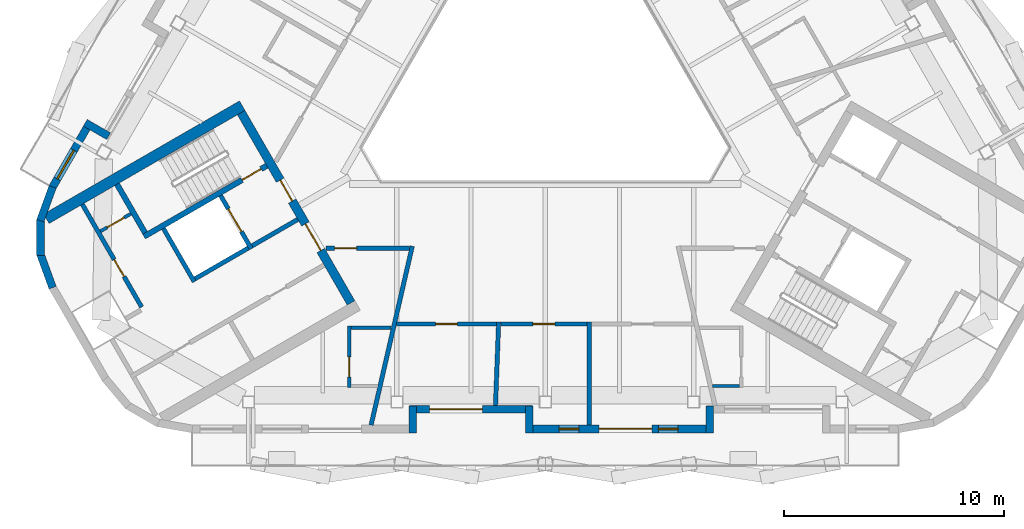
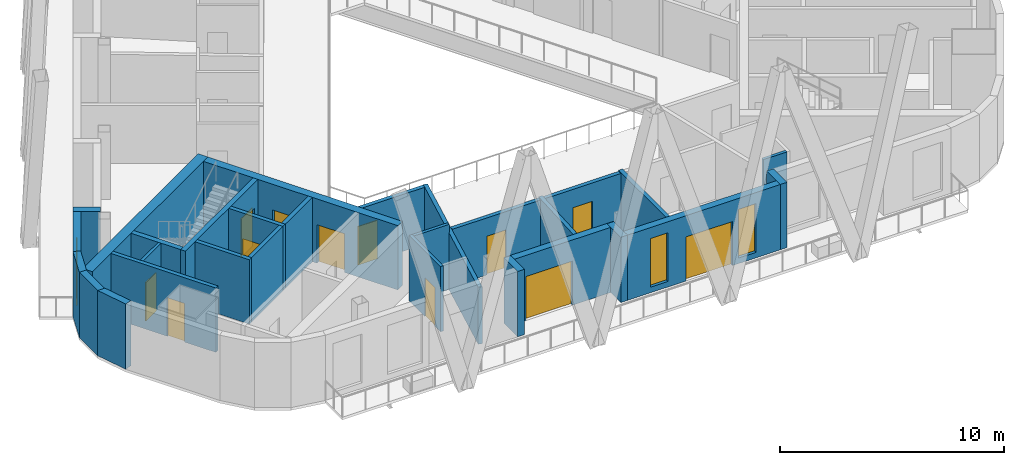
# One storey, part 3 of 12: 29 walls, 12 doors, 3 windows, 15 openings.
"""IFC4 building model written with IfcOpenShell, lengths in metres."""

from ifc_helpers import new_model, si_unit, direction, frame, frame_2d, origin, place, context, subcontext, project, spatial, rectangle, extrude, material, layer, layer_set, type_object, element, fill, save


model = new_model("IFC4")

# Units and contexts
model_context = context("Model", 3, precision=1e-05, world=origin(), true_north=direction((0.0, 1.0)))
body_context = subcontext(model_context, "Body", "Model", "MODEL_VIEW")
ifc_project = project(units=[si_unit("LENGTHUNIT", "METRE"), si_unit("AREAUNIT", "SQUARE_METRE"), si_unit("VOLUMEUNIT", "CUBIC_METRE"), si_unit("PLANEANGLEUNIT", "RADIAN"), si_unit("MASSUNIT", "GRAM", prefix="KILO")], contexts=[model_context])

# Site, building, storey
site_placement = place(None, origin())
site = spatial("IfcSite", under=ifc_project, at=site_placement, CompositionType="ELEMENT")
building_placement = place(site_placement, origin())
building = spatial("IfcBuilding", under=site, at=building_placement, Name="Apuvela Tower Hotel", CompositionType="ELEMENT")
storey_placement = place(building_placement, frame((0.0, 0.0, 302.199951171875)))
storey = spatial("IfcBuildingStorey", under=building, at=storey_placement, Name="L75", CompositionType="ELEMENT", Elevation=302.199951171875)

# Wall, openings, doors
ifc_material_1 = material(Name="Concrete C50/60", Category="concrete")
ifc_layer_1 = layer(ifc_material_1, 0.39990234375)
ifc_layer_set_1 = layer_set([ifc_layer_1], Name="COR-WALL-CORE-400")
wall_type_1 = type_object("IfcWallType", Name="COR-WALL-CORE-400", PredefinedType="SHEAR", material=ifc_layer_set_1)
wall_1_placement = place(storey_placement, frame((-13.844970703125, -2.219970703125, 0.0), z_axis=(0.0, 0.0, 1.0), x_axis=(0.500004234368, -0.866022959057, 0.0)))
wall_1 = element("IfcWall", 1, at=wall_1_placement, inside=storey, type_object=wall_type_1, Name="Core wall SW", PredefinedType="SHEAR", context=body_context, shape_type="SweptSolid", body=[
    extrude(rectangle(XDim=10.0, YDim=0.39990234375, at=frame_2d((5.0, 0.0))), origin(), (0.0, 0.0, 1.0), 3.5),
])
opening_1_placement = place(wall_1_placement, frame((3.550048828125, 0.0, 0.0)))
opening_1 = element("IfcOpeningElement", 2, at=opening_1_placement, cuts=wall_1, Name="Opening W-FD", PredefinedType="OPENING", context=body_context, shape_type="SweptSolid", body=[
    extrude(rectangle(XDim=1.10009765625, YDim=2.10009765625, at=frame_2d((0.550048828125, 1.050048828125))), frame((0.0, 0.2099609375, 0.0), z_axis=(0.0, -1.0, 0.0), x_axis=(1.0, 0.0, 0.0)), (0.0, 0.0, 1.0), 0.419921875),
])
opening_2_placement = place(wall_1_placement, frame((5.85009765625, 0.0, 0.0)))
opening_2 = element("IfcOpeningElement", 3, at=opening_2_placement, cuts=wall_1, Name="Opening W-GD", PredefinedType="OPENING", context=body_context, shape_type="SweptSolid", body=[
    extrude(rectangle(XDim=1.39990234375, YDim=2.10009765625, at=frame_2d((0.699951171875, 1.050048828125))), frame((0.0, 0.2099609375, 0.0), z_axis=(0.0, -1.0, 0.0), x_axis=(1.0, 0.0, 0.0)), (0.0, 0.0, 1.0), 0.419921875),
])
ifc_material_2 = material(Name="Steel fire door, powder coated", Category="steel")
door_type_1 = type_object("IfcDoorType", Name="COR-FD-1100", OperationType="NOTDEFINED", PredefinedType="DOOR", material=ifc_material_2)
door_1_placement = place(opening_1_placement, frame((1.10009765625, 0.0, 0.0), z_axis=(0.0, 0.0, 1.0), x_axis=(-1.0, 0.0, 0.0)))
door_1 = element("IfcDoor", 4, at=door_1_placement, inside=storey, type_object=door_type_1, Name="Firefighting lobby door W-FD", OperationType="SINGLE_SWING_LEFT", OverallHeight=2.10009765625, OverallWidth=1.10009765625, PredefinedType="DOOR", context=body_context, shape_type="SweptSolid", body=[
    extrude(rectangle(XDim=1.10009765625, YDim=2.10009765625, at=frame_2d((0.550048828125, 1.050048828125))), frame((0.0, 0.02490234375, 0.0), z_axis=(0.0, -1.0, 0.0), x_axis=(1.0, 0.0, 0.0)), (0.0, 0.0, 1.0), 0.050048828125),
])
fill(opening_1, door_1)
ifc_material_3 = material(Name="Glazed steel fire door", Category="steel")
door_type_2 = type_object("IfcDoorType", Name="COR-GD-1400", OperationType="DOUBLE_DOOR_SINGLE_SWING", PredefinedType="DOOR", material=ifc_material_3)
door_2_placement = place(opening_2_placement, frame((1.39990234375, 0.0, 0.0), z_axis=(0.0, 0.0, 1.0), x_axis=(-1.0, 0.0, 0.0)))
door_2 = element("IfcDoor", 5, at=door_2_placement, inside=storey, type_object=door_type_2, Name="Lift lobby door W-GD", OperationType="DOUBLE_DOOR_SINGLE_SWING", OverallHeight=2.10009765625, OverallWidth=1.39990234375, PredefinedType="DOOR", context=body_context, shape_type="SweptSolid", body=[
    extrude(rectangle(XDim=1.39990234375, YDim=2.10009765625, at=frame_2d((0.699951171875, 1.050048828125))), frame((0.0, 0.02490234375, 0.0), z_axis=(0.0, -1.0, 0.0), x_axis=(1.0, 0.0, 0.0)), (0.0, 0.0, 1.0), 0.050048828125),
])
fill(opening_2, door_2)

# Wall
ifc_layer_2 = layer(ifc_material_1, 0.5)
ifc_layer_set_2 = layer_set([ifc_layer_2], Name="COR-WALL-CORE-500")
wall_type_2 = type_object("IfcWallType", Name="COR-WALL-CORE-500", PredefinedType="SHEAR", material=ifc_layer_set_2)
wall_2_placement = place(storey_placement, frame((-13.796630859375, -1.9033203125, 0.0), z_axis=(0.0, 0.0, 1.0), x_axis=(-0.866027279078, -0.499996751883, 0.0)))
element("IfcWall", 6, at=wall_2_placement, inside=storey, type_object=wall_type_2, Name="Core wall SW", PredefinedType="SHEAR", context=body_context, shape_type="SweptSolid", body=[
    extrude(rectangle(XDim=10.29833984375, YDim=0.5, at=frame_2d((5.149169921875, 0.0))), origin(), (0.0, 0.0, 1.0), 3.5),
])

# Wall, opening, door
ifc_material_4 = material(Name="Blockwork 150 mm plastered", Category="masonry")
ifc_layer_3 = layer(ifc_material_4, 0.14990234375)
ifc_layer_set_3 = layer_set([ifc_layer_3], Name="COR-WALL-PART-150")
wall_type_3 = type_object("IfcWallType", Name="COR-WALL-PART-150", PredefinedType="PARTITIONING", material=ifc_layer_set_3)
wall_3_placement = place(storey_placement, frame((-18.866455078125, -6.822265625, 0.0), z_axis=(0.0, 0.0, 1.0), x_axis=(-0.866028054938, -0.499995408039, 0.0)))
wall_3 = element("IfcWall", 7, at=wall_3_placement, inside=storey, type_object=wall_type_3, Name="Partition SW", PredefinedType="PARTITIONING", context=body_context, shape_type="SweptSolid", body=[
    extrude(rectangle(XDim=1.60009765625, YDim=0.14990234375, at=frame_2d((0.800048828125, 0.0))), origin(), (0.0, 0.0, 1.0), 3.5),
])
opening_3_placement = place(wall_3_placement, frame((0.35009765625, 0.0, 0.0)))
opening_3 = element("IfcOpeningElement", 8, at=opening_3_placement, cuts=wall_3, Name="Opening W-RD", PredefinedType="OPENING", context=body_context, shape_type="SweptSolid", body=[
    extrude(rectangle(XDim=0.89990234375, YDim=2.10009765625, at=frame_2d((0.449951171875, 1.050048828125))), frame((0.0, 0.0849609375, 0.0), z_axis=(0.0, -1.0, 0.0), x_axis=(1.0, 0.0, 0.0)), (0.0, 0.0, 1.0), 0.169921875),
])
ifc_material_5 = material(Name="Steel access door, powder coated", Category="steel")
door_type_3 = type_object("IfcDoorType", Name="COR-RD-900", OperationType="NOTDEFINED", PredefinedType="DOOR", material=ifc_material_5)
door_3_placement = place(opening_3_placement, frame((0.89990234375, 0.0, 0.0), z_axis=(0.0, 0.0, 1.0), x_axis=(-1.0, 0.0, 0.0)))
door_3 = element("IfcDoor", 9, at=door_3_placement, inside=storey, type_object=door_type_3, Name="Riser door W-RD", OperationType="SINGLE_SWING_RIGHT", OverallHeight=2.10009765625, OverallWidth=0.89990234375, PredefinedType="DOOR", context=body_context, shape_type="SweptSolid", body=[
    extrude(rectangle(XDim=0.89990234375, YDim=2.10009765625, at=frame_2d((0.449951171875, 1.050048828125))), frame((0.0, 0.02490234375, 0.0), z_axis=(0.0, -1.0, 0.0), x_axis=(1.0, 0.0, 0.0)), (0.0, 0.0, 1.0), 0.050048828125),
])
fill(opening_3, door_3)

ifc_material_6 = material(Name="Blockwork 200 mm plastered", Category="masonry")
ifc_layer_4 = layer(ifc_material_6, 0.199951171875)
ifc_layer_set_4 = layer_set([ifc_layer_4], Name="COR-WALL-PART-200")
wall_type_4 = type_object("IfcWallType", Name="COR-WALL-PART-200", PredefinedType="PARTITIONING", material=ifc_layer_set_4)
wall_4_placement = place(storey_placement, frame((-21.076171875, -6.39501953125, 0.0), z_axis=(0.0, 0.0, 1.0), x_axis=(0.50001468107, -0.866016927499, 0.0)))
wall_4 = element("IfcWall", 10, at=wall_4_placement, inside=storey, type_object=wall_type_4, Name="Partition SW", PredefinedType="PARTITIONING", context=body_context, shape_type="SweptSolid", body=[
    extrude(rectangle(XDim=5.399658203125, YDim=0.199951171875, at=frame_2d((2.69970703125, 0.0))), origin(), (0.0, 0.0, 1.0), 3.5),
])
opening_4_placement = place(wall_4_placement, frame((2.89990234375, 0.0, 0.0)))
opening_4 = element("IfcOpeningElement", 11, at=opening_4_placement, cuts=wall_4, Name="Opening W-RS1", PredefinedType="OPENING", context=body_context, shape_type="SweptSolid", body=[
    extrude(rectangle(XDim=0.89990234375, YDim=2.10009765625, at=frame_2d((0.449951171875, 1.050048828125))), frame((0.0, 0.10986328125, 0.0), z_axis=(0.0, -1.0, 0.0), x_axis=(1.0, 0.0, 0.0)), (0.0, 0.0, 1.0), 0.219970703125),
])
door_type_4 = type_object("IfcDoorType", Name="COR-DR-900", OperationType="NOTDEFINED", PredefinedType="DOOR", material=ifc_material_2)
door_4_placement = place(opening_4_placement, frame((0.89990234375, 0.0, 0.0), z_axis=(0.0, 0.0, 1.0), x_axis=(-1.0, 0.0, 0.0)))
door_4 = element("IfcDoor", 12, at=door_4_placement, inside=storey, type_object=door_type_4, Name="Store door W-RS1", OperationType="SINGLE_SWING_LEFT", OverallHeight=2.10009765625, OverallWidth=0.89990234375, PredefinedType="DOOR", context=body_context, shape_type="SweptSolid", body=[
    extrude(rectangle(XDim=0.89990234375, YDim=2.10009765625, at=frame_2d((0.449951171875, 1.050048828125))), frame((0.0, 0.02490234375, 0.0), z_axis=(0.0, -1.0, 0.0), x_axis=(1.0, 0.0, 0.0)), (0.0, 0.0, 1.0), 0.050048828125),
])
fill(opening_4, door_4)

# Wall
ifc_layer_5 = layer(ifc_material_1, 0.199951171875)
ifc_layer_set_5 = layer_set([ifc_layer_5], Name="COR-WALL-SHAFT-200")
wall_type_5 = type_object("IfcWallType", Name="COR-WALL-SHAFT-200", PredefinedType="SHEAR", material=ifc_layer_set_5)
wall_5_placement = place(storey_placement, frame((-17.38134765625, -7.49462890625, 0.0), z_axis=(0.0, 0.0, 1.0), x_axis=(0.500011755427, -0.866018616679, 0.0)))
element("IfcWall", 13, at=wall_5_placement, inside=storey, type_object=wall_type_5, Name="Shaft wall SW", PredefinedType="SHEAR", context=body_context, shape_type="SweptSolid", body=[
    extrude(rectangle(XDim=2.80029296875, YDim=0.199951171875, at=frame_2d((1.400146484375, 0.0))), origin(), (0.0, 0.0, 1.0), 3.5),
])

# Wall, opening, door
wall_6_placement = place(storey_placement, frame((-14.783203125, -5.99462890625, 0.0), z_axis=(0.0, 0.0, 1.0), x_axis=(0.49994636267, -0.866056369097, 0.0)))
wall_6 = element("IfcWall", 14, at=wall_6_placement, inside=storey, type_object=wall_type_5, Name="Shaft wall SW", PredefinedType="SHEAR", context=body_context, shape_type="SweptSolid", body=[
    extrude(rectangle(XDim=2.800048828125, YDim=0.199951171875, at=frame_2d((1.39990234375, 0.0))), origin(), (0.0, 0.0, 1.0), 3.5),
])
opening_5_placement = place(wall_6_placement, frame((0.699951171875, 0.0, 0.0)))
opening_5 = element("IfcOpeningElement", 15, at=opening_5_placement, cuts=wall_6, Name="Opening W-LD-FS2", PredefinedType="OPENING", context=body_context, shape_type="SweptSolid", body=[
    extrude(rectangle(XDim=1.199951171875, YDim=2.10009765625, at=frame_2d((0.60009765625, 1.050048828125))), frame((0.0, 0.10986328125, 0.0), z_axis=(0.0, -1.0, 0.0), x_axis=(1.0, 0.0, 0.0)), (0.0, 0.0, 1.0), 0.219970703125),
])
ifc_material_7 = material(Name="Stainless steel lift landing door", Category="steel")
door_type_5 = type_object("IfcDoorType", Name="COR-LD-1200", OperationType="DOUBLE_DOOR_SLIDING", PredefinedType="DOOR", material=ifc_material_7)
door_5_placement = place(opening_5_placement, origin())
door_5 = element("IfcDoor", 16, at=door_5_placement, inside=storey, type_object=door_type_5, Name="Lift landing door W-LD-FS2", OperationType="DOUBLE_DOOR_SLIDING", OverallHeight=2.10009765625, OverallWidth=1.199951171875, PredefinedType="DOOR", context=body_context, shape_type="SweptSolid", body=[
    extrude(rectangle(XDim=1.199951171875, YDim=2.10009765625, at=frame_2d((0.60009765625, 1.050048828125))), frame((0.0, 0.02490234375, 0.0), z_axis=(0.0, -1.0, 0.0), x_axis=(1.0, 0.0, 0.0)), (0.0, 0.0, 1.0), 0.050048828125),
])
fill(opening_5, door_5)

# Walls
wall_7_placement = place(storey_placement, frame((-13.519775390625, -8.383056640625, 0.0), z_axis=(0.0, 0.0, 1.0), x_axis=(-0.866034573852, -0.49998411664, 0.0)))
element("IfcWall", 17, at=wall_7_placement, inside=storey, type_object=wall_type_5, Name="Shaft wall SW", PredefinedType="SHEAR", context=body_context, shape_type="SweptSolid", body=[
    extrude(rectangle(XDim=2.7998046875, YDim=0.199951171875, at=frame_2d((1.39990234375, 0.0))), origin(), (0.0, 0.0, 1.0), 3.5),
])
wall_8_placement = place(storey_placement, frame((-11.26806640625, -7.0830078125, 0.0), z_axis=(0.0, 0.0, 1.0), x_axis=(-0.866050077142, -0.499957262057, 0.0)))
element("IfcWall", 18, at=wall_8_placement, inside=storey, type_object=wall_type_5, Name="Shaft wall SW", PredefinedType="SHEAR", context=body_context, shape_type="SweptSolid", body=[
    extrude(rectangle(XDim=2.400146484375, YDim=0.199951171875, at=frame_2d((1.2001953125, 0.0))), origin(), (0.0, 0.0, 1.0), 3.5),
])

# Wall, opening, door
ifc_layer_6 = layer(ifc_material_1, 0.25)
ifc_layer_set_6 = layer_set([ifc_layer_6], Name="COR-WALL-STAIR-250")
wall_type_6 = type_object("IfcWallType", Name="COR-WALL-STAIR-250", PredefinedType="SHEAR", material=ifc_layer_set_6)
wall_9_placement = place(storey_placement, frame((-12.6806640625, -4.636474609375, 0.0), z_axis=(0.0, 0.0, 1.0), x_axis=(-0.866021702275, -0.500006411147, 0.0)))
wall_9 = element("IfcWall", 19, at=wall_9_placement, inside=storey, type_object=wall_type_6, Name="Stair wall SW", PredefinedType="SHEAR", context=body_context, shape_type="SweptSolid", body=[
    extrude(rectangle(XDim=6.4501953125, YDim=0.25, at=frame_2d((3.22509765625, 0.0))), origin(), (0.0, 0.0, 1.0), 3.5),
])
opening_6_placement = place(wall_9_placement, frame((0.300048828125, 0.0, 0.0)))
opening_6 = element("IfcOpeningElement", 20, at=opening_6_placement, cuts=wall_9, Name="Opening W-SD", PredefinedType="OPENING", context=body_context, shape_type="SweptSolid", body=[
    extrude(rectangle(XDim=1.0, YDim=2.10009765625, at=frame_2d((0.5, 1.050048828125))), frame((0.0, 0.135009765625, 0.0), z_axis=(0.0, -1.0, 0.0), x_axis=(1.0, 0.0, 0.0)), (0.0, 0.0, 1.0), 0.27001953125),
])
door_type_6 = type_object("IfcDoorType", Name="COR-SD-1000", OperationType="NOTDEFINED", PredefinedType="DOOR", material=ifc_material_2)
door_6_placement = place(opening_6_placement, frame((1.0, 0.0, 0.0), z_axis=(0.0, 0.0, 1.0), x_axis=(-1.0, 0.0, 0.0)))
door_6 = element("IfcDoor", 21, at=door_6_placement, inside=storey, type_object=door_type_6, Name="Stair door W-SD", OperationType="SINGLE_SWING_LEFT", OverallHeight=2.10009765625, OverallWidth=1.0, PredefinedType="DOOR", context=body_context, shape_type="SweptSolid", body=[
    extrude(rectangle(XDim=1.0, YDim=2.10009765625, at=frame_2d((0.5, 1.050048828125))), frame((0.0, 0.02490234375, 0.0), z_axis=(0.0, -1.0, 0.0), x_axis=(1.0, 0.0, 0.0)), (0.0, 0.0, 1.0), 0.050048828125),
])
fill(opening_6, door_6)

# Walls
wall_10_placement = place(storey_placement, frame((-19.49560546875, -5.482421875, 0.0), z_axis=(0.0, 0.0, 1.0), x_axis=(0.499990435942, -0.866030925526, 0.0)))
element("IfcWall", 22, at=wall_10_placement, inside=storey, type_object=wall_type_6, Name="Stair wall SW", PredefinedType="SHEAR", context=body_context, shape_type="SweptSolid", body=[
    extrude(rectangle(XDim=2.5498046875, YDim=0.25, at=frame_2d((1.27490234375, 0.0))), origin(), (0.0, 0.0, 1.0), 3.5),
])
ifc_material_8 = material(Name="Concrete C40/50, dark pigmented precast panel", Category="concrete")
ifc_layer_7 = layer(ifc_material_8, 0.35009765625)
ifc_layer_set_7 = layer_set([ifc_layer_7], Name="ENV-WALL-350")
wall_type_7 = type_object("IfcWallType", Name="ENV-WALL-350", PredefinedType="SOLIDWALL", material=ifc_layer_set_7)
wall_11_placement = place(storey_placement, frame((-19.88427734375, -3.291748046875, 0.0), z_axis=(0.0, 0.0, 1.0), x_axis=(-0.866005645448, 0.500034220881, 0.0)))
element("IfcWall", 23, at=wall_11_placement, inside=storey, type_object=wall_type_7, Name="External wall L75-08", PredefinedType="SOLIDWALL", context=body_context, shape_type="SweptSolid", body=[
    extrude(rectangle(XDim=1.22021484375, YDim=0.35009765625, at=frame_2d((0.610107421875, 0.0))), origin(), (0.0, 0.0, 1.0), 3.550048828125),
])

# Wall, opening, window
wall_12_placement = place(storey_placement, frame((-20.701904296875, -2.61767578125, 0.0), z_axis=(0.0, 0.0, 1.0), x_axis=(-0.499979528911, -0.866037222451, 0.0)))
wall_12 = element("IfcWall", 24, at=wall_12_placement, inside=storey, type_object=wall_type_7, Name="External wall L75-09", PredefinedType="SOLIDWALL", context=body_context, shape_type="SweptSolid", body=[
    extrude(rectangle(XDim=3.480224609375, YDim=0.35009765625, at=frame_2d((1.740234375, 0.0))), origin(), (0.0, 0.0, 1.0), 3.550048828125),
])
opening_7_placement = place(wall_12_placement, frame((1.52490234375, 0.0, 0.300048828125)))
opening_7 = element("IfcOpeningElement", 25, at=opening_7_placement, cuts=wall_12, Name="Opening WN15", PredefinedType="OPENING", context=body_context, shape_type="SweptSolid", body=[
    extrude(rectangle(XDim=1.5, YDim=2.64990234375, at=frame_2d((0.75, 1.324951171875))), frame((0.0, 0.18505859375, 0.0), z_axis=(0.0, -1.0, 0.0), x_axis=(1.0, 0.0, 0.0)), (0.0, 0.0, 1.0), 0.3701171875),
])
ifc_material_9 = material(Name="Glass, dark tinted laminated insulated glazing unit", Category="glass")
window_type_1 = type_object("IfcWindowType", Name="ENV-WIN-1500x2650", PartitioningType="SINGLE_PANEL", PredefinedType="WINDOW", material=ifc_material_9)
window_1_placement = place(opening_7_placement, origin())
window_1 = element("IfcWindow", 26, at=window_1_placement, inside=storey, type_object=window_type_1, Name="Window WN15", OverallHeight=2.64990234375, OverallWidth=1.5, PartitioningType="SINGLE_PANEL", PredefinedType="WINDOW", context=body_context, shape_type="SweptSolid", body=[
    extrude(rectangle(XDim=1.5, YDim=2.64990234375, at=frame_2d((0.75, 1.324951171875))), frame((0.0, 0.030029296875, 0.0), z_axis=(0.0, -1.0, 0.0), x_axis=(1.0, 0.0, 0.0)), (0.0, 0.0, 1.0), 0.06005859375),
])
fill(opening_7, window_1)

# Walls
for number, where, z_axis, x_axis, name in (
    (27, (-22.42919921875, -5.603759765625, 0.0), (0.0, 0.0, 1.0), (-0.34192296291, -0.939727985874, 0.0), "External wall L75-10"),
    (28, (-22.977294921875, -7.07958984375, 0.0), (0.0, 0.0, 1.0), (0.0, -1.0, 0.0), "External wall L75-11"),
    (29, (-22.988037109375, -8.654052734375, 0.0), (0.0, 0.0, 1.0), (0.341970966071, -0.939710518386, 0.0), "External wall L75-12"),
):
    element("IfcWall", number, at=place(storey_placement, frame(where, z_axis=z_axis, x_axis=x_axis)), inside=storey, type_object=wall_type_7, Name=name, PredefinedType="SOLIDWALL", context=body_context, shape_type="SweptSolid", body=[
        extrude(rectangle(XDim=1.63427734375, YDim=0.35009765625, at=frame_2d((0.817138671875, 0.0))), origin(), (0.0, 0.0, 1.0), 3.550048828125),
    ])
wall_13_placement = place(storey_placement, frame((-6.033935546875, -16.794677734375, 0.0), z_axis=(0.0, 0.0, 1.0), x_axis=(0.0, 1.0, 0.0)))
element("IfcWall", 30, at=wall_13_placement, inside=storey, type_object=wall_type_7, Name="External wall L75-18", PredefinedType="SOLIDWALL", context=body_context, shape_type="SweptSolid", body=[
    extrude(rectangle(XDim=1.219970703125, YDim=0.35009765625, at=frame_2d((0.60986328125, 0.0))), origin(), (0.0, 0.0, 1.0), 3.550048828125),
])

# Wall, opening, door
wall_14_placement = place(storey_placement, frame((-6.178955078125, -15.719482421875, 0.0), z_axis=(0.0, 0.0, 1.0), x_axis=(1.0, 0.0, 0.0)))
wall_14 = element("IfcWall", 31, at=wall_14_placement, inside=storey, type_object=wall_type_7, Name="External wall L75-19", PredefinedType="SOLIDWALL", context=body_context, shape_type="SweptSolid", body=[
    extrude(rectangle(XDim=5.598876953125, YDim=0.35009765625, at=frame_2d((2.79931640625, 0.0))), origin(), (0.0, 0.0, 1.0), 3.550048828125),
])
opening_8_placement = place(wall_14_placement, frame((0.916259765625, 0.0, 0.0)))
opening_8 = element("IfcOpeningElement", 32, at=opening_8_placement, cuts=wall_14, Name="Opening BD24", PredefinedType="OPENING", context=body_context, shape_type="SweptSolid", body=[
    extrude(rectangle(XDim=2.39990234375, YDim=2.39990234375, at=frame_2d((1.199951171875, 1.199951171875))), frame((0.0, 0.18505859375, 0.0), z_axis=(0.0, -1.0, 0.0), x_axis=(1.0, 0.0, 0.0)), (0.0, 0.0, 1.0), 0.3701171875),
])
ifc_material_10 = material(Name="Aluminium 6063-T6, dark bronze anodised frame with dark tinted laminated glass", Category="aluminium")
door_type_7 = type_object("IfcDoorType", Name="ENV-DOOR-BALCONY-2400x2400", OperationType="SLIDING_TO_LEFT", PredefinedType="DOOR", material=ifc_material_10)
door_7_placement = place(opening_8_placement, frame((2.39990234375, 0.0, 0.0), z_axis=(0.0, 0.0, 1.0), x_axis=(-1.0, 0.0, 0.0)))
door_7 = element("IfcDoor", 33, at=door_7_placement, inside=storey, type_object=door_type_7, Name="Balcony door BD24", OperationType="SLIDING_TO_LEFT", OverallHeight=2.39990234375, OverallWidth=2.39990234375, PredefinedType="DOOR", context=body_context, shape_type="SweptSolid", body=[
    extrude(rectangle(XDim=2.39990234375, YDim=2.39990234375, at=frame_2d((1.199951171875, 1.199951171875))), frame((0.0, 0.02490234375, 0.0), z_axis=(0.0, -1.0, 0.0), x_axis=(1.0, 0.0, 0.0)), (0.0, 0.0, 1.0), 0.050048828125),
])
fill(opening_8, door_7)

# Wall
wall_15_placement = place(storey_placement, frame((-0.72509765625, -15.57470703125, 0.0), z_axis=(0.0, 0.0, 1.0), x_axis=(0.0, -1.0, 0.0)))
element("IfcWall", 34, at=wall_15_placement, inside=storey, type_object=wall_type_7, Name="External wall L75-20", PredefinedType="SOLIDWALL", context=body_context, shape_type="SweptSolid", body=[
    extrude(rectangle(XDim=1.219970703125, YDim=0.35009765625, at=frame_2d((0.60986328125, 0.0))), origin(), (0.0, 0.0, 1.0), 3.550048828125),
])

# Wall, openings, door, windows
wall_16_placement = place(storey_placement, frame((-0.89990234375, -16.61962890625, 0.0), z_axis=(0.0, 0.0, 1.0), x_axis=(1.0, 0.0, 0.0)))
wall_16 = element("IfcWall", 35, at=wall_16_placement, inside=storey, type_object=wall_type_7, Name="External wall L75-21", PredefinedType="SOLIDWALL", context=body_context, shape_type="SweptSolid", body=[
    extrude(rectangle(XDim=8.558837890625, YDim=0.35009765625, at=frame_2d((4.279296875, 0.0))), origin(), (0.0, 0.0, 1.0), 3.550048828125),
])
opening_9_placement = place(wall_16_placement, frame((1.525390625, 0.0, 0.300048828125)))
opening_9 = element("IfcOpeningElement", 36, at=opening_9_placement, cuts=wall_16, Name="Opening WN09", PredefinedType="OPENING", context=body_context, shape_type="SweptSolid", body=[
    extrude(rectangle(XDim=0.89990234375, YDim=2.64990234375, at=frame_2d((0.449951171875, 1.324951171875))), frame((0.0, 0.18505859375, 0.0), z_axis=(0.0, -1.0, 0.0), x_axis=(1.0, 0.0, 0.0)), (0.0, 0.0, 1.0), 0.3701171875),
])
opening_10_placement = place(wall_16_placement, frame((3.349609375, 0.0, 0.0)))
opening_10 = element("IfcOpeningElement", 37, at=opening_10_placement, cuts=wall_16, Name="Opening BD24", PredefinedType="OPENING", context=body_context, shape_type="SweptSolid", body=[
    extrude(rectangle(XDim=2.39990234375, YDim=2.39990234375, at=frame_2d((1.199951171875, 1.199951171875))), frame((0.0, 0.18505859375, 0.0), z_axis=(0.0, -1.0, 0.0), x_axis=(1.0, 0.0, 0.0)), (0.0, 0.0, 1.0), 0.3701171875),
])
opening_11_placement = place(wall_16_placement, frame((6.049560546875, 0.0, 0.300048828125)))
opening_11 = element("IfcOpeningElement", 38, at=opening_11_placement, cuts=wall_16, Name="Opening WN09", PredefinedType="OPENING", context=body_context, shape_type="SweptSolid", body=[
    extrude(rectangle(XDim=0.89990234375, YDim=2.64990234375, at=frame_2d((0.449951171875, 1.324951171875))), frame((0.0, 0.18505859375, 0.0), z_axis=(0.0, -1.0, 0.0), x_axis=(1.0, 0.0, 0.0)), (0.0, 0.0, 1.0), 0.3701171875),
])
door_8_placement = place(opening_10_placement, frame((2.39990234375, 0.0, 0.0), z_axis=(0.0, 0.0, 1.0), x_axis=(-1.0, 0.0, 0.0)))
door_8 = element("IfcDoor", 39, at=door_8_placement, inside=storey, type_object=door_type_7, Name="Balcony door BD24", OperationType="SLIDING_TO_LEFT", OverallHeight=2.39990234375, OverallWidth=2.39990234375, PredefinedType="DOOR", context=body_context, shape_type="SweptSolid", body=[
    extrude(rectangle(XDim=2.39990234375, YDim=2.39990234375, at=frame_2d((1.199951171875, 1.199951171875))), frame((0.0, 0.02490234375, 0.0), z_axis=(0.0, -1.0, 0.0), x_axis=(1.0, 0.0, 0.0)), (0.0, 0.0, 1.0), 0.050048828125),
])
fill(opening_10, door_8)
window_type_2 = type_object("IfcWindowType", Name="ENV-WIN-900x2650", PartitioningType="SINGLE_PANEL", PredefinedType="WINDOW", material=ifc_material_9)
window_2_placement = place(opening_9_placement, origin())
window_2 = element("IfcWindow", 40, at=window_2_placement, inside=storey, type_object=window_type_2, Name="Window WN09", OverallHeight=2.64990234375, OverallWidth=0.89990234375, PartitioningType="SINGLE_PANEL", PredefinedType="WINDOW", context=body_context, shape_type="SweptSolid", body=[
    extrude(rectangle(XDim=0.89990234375, YDim=2.64990234375, at=frame_2d((0.449951171875, 1.324951171875))), frame((0.0, 0.030029296875, 0.0), z_axis=(0.0, -1.0, 0.0), x_axis=(1.0, 0.0, 0.0)), (0.0, 0.0, 1.0), 0.06005859375),
])
fill(opening_9, window_2)
window_3_placement = place(opening_11_placement, origin())
window_3 = element("IfcWindow", 41, at=window_3_placement, inside=storey, type_object=window_type_2, Name="Window WN09", OverallHeight=2.64990234375, OverallWidth=0.89990234375, PartitioningType="SINGLE_PANEL", PredefinedType="WINDOW", context=body_context, shape_type="SweptSolid", body=[
    extrude(rectangle(XDim=0.89990234375, YDim=2.64990234375, at=frame_2d((0.449951171875, 1.324951171875))), frame((0.0, 0.030029296875, 0.0), z_axis=(0.0, -1.0, 0.0), x_axis=(1.0, 0.0, 0.0)), (0.0, 0.0, 1.0), 0.06005859375),
])
fill(opening_11, window_3)

# Walls
wall_17_placement = place(storey_placement, frame((7.48388671875, -16.794677734375, 0.0), z_axis=(0.0, 0.0, 1.0), x_axis=(0.0, 1.0, 0.0)))
element("IfcWall", 42, at=wall_17_placement, inside=storey, type_object=wall_type_7, Name="External wall L75-22", PredefinedType="SOLIDWALL", context=body_context, shape_type="SweptSolid", body=[
    extrude(rectangle(XDim=1.219970703125, YDim=0.35009765625, at=frame_2d((0.60986328125, 0.0))), origin(), (0.0, 0.0, 1.0), 3.550048828125),
])
ifc_material_11 = material(Name="Gypsum board partition on twin steel stud", Category="steel")
ifc_layer_8 = layer(ifc_material_11, 0.199951171875)
ifc_layer_set_8 = layer_set([ifc_layer_8], Name="GST-PW1")
wall_type_8 = type_object("IfcWallType", Name="GST-PW1", PredefinedType="PARTITIONING", material=ifc_layer_set_8)
wall_18_placement = place(storey_placement, frame((-7.929931640625, -16.444580078125, 0.0), z_axis=(0.0, 0.0, 1.0), x_axis=(0.224458408835, 0.974483669798, 0.0)))
element("IfcWall", 43, at=wall_18_placement, inside=storey, type_object=wall_type_8, Name="L75 partition 01", PredefinedType="PARTITIONING", context=body_context, shape_type="SweptSolid", body=[
    extrude(rectangle(XDim=8.35791015625, YDim=0.199951171875, at=frame_2d((4.178955078125, 0.0))), origin(), (0.0, 0.0, 1.0), 3.10009765625),
])
wall_19_placement = place(storey_placement, frame((-2.26611328125, -15.544677734375, 0.0), z_axis=(0.0, 0.0, 1.0), x_axis=(0.037750136795, 0.999287209551, 0.0)))
element("IfcWall", 44, at=wall_19_placement, inside=storey, type_object=wall_type_8, Name="L75 partition 02", PredefinedType="PARTITIONING", context=body_context, shape_type="SweptSolid", body=[
    extrude(rectangle(XDim=3.802734375, YDim=0.199951171875, at=frame_2d((1.9013671875, 0.0))), origin(), (0.0, 0.0, 1.0), 3.16015625),
])
wall_20_placement = place(storey_placement, frame((2.0, -16.444580078125, 0.0), z_axis=(0.0, 0.0, 1.0), x_axis=(0.0, 1.0, 0.0)))
element("IfcWall", 45, at=wall_20_placement, inside=storey, type_object=wall_type_8, Name="L75 partition 03", PredefinedType="PARTITIONING", context=body_context, shape_type="SweptSolid", body=[
    extrude(rectangle(XDim=4.699951171875, YDim=0.199951171875, at=frame_2d((2.35009765625, 0.0))), origin(), (0.0, 0.0, 1.0), 3.16015625),
])

# Wall, opening, door
ifc_material_12 = material(Name="Gypsum board corridor wall on twin steel stud, acoustic", Category="steel")
ifc_layer_9 = layer(ifc_material_12, 0.199951171875)
ifc_layer_set_9 = layer_set([ifc_layer_9], Name="GST-PW2")
wall_type_9 = type_object("IfcWallType", Name="GST-PW2", PredefinedType="PARTITIONING", material=ifc_layer_set_9)
wall_21_placement = place(storey_placement, frame((-6.1796875, -8.39990234375, 0.0), z_axis=(0.0, 0.0, 1.0), x_axis=(-1.0, 0.0, 0.0)))
wall_21 = element("IfcWall", 46, at=wall_21_placement, inside=storey, type_object=wall_type_9, Name="L75 partition 12", PredefinedType="PARTITIONING", context=body_context, shape_type="SweptSolid", body=[
    extrude(rectangle(XDim=3.80859375, YDim=0.199951171875, at=frame_2d((1.904296875, 0.0))), origin(), (0.0, 0.0, 1.0), 3.10009765625),
])
opening_12_placement = place(wall_21_placement, frame((2.40869140625, 0.0, 0.0)))
opening_12 = element("IfcOpeningElement", 47, at=opening_12_placement, cuts=wall_21, Name="Opening GD31-02", PredefinedType="OPENING", context=body_context, shape_type="SweptSolid", body=[
    extrude(rectangle(XDim=1.0, YDim=2.10009765625, at=frame_2d((0.5, 1.050048828125))), frame((0.0, 0.10986328125, 0.0), z_axis=(0.0, -1.0, 0.0), x_axis=(1.0, 0.0, 0.0)), (0.0, 0.0, 1.0), 0.219970703125),
])
ifc_material_13 = material(Name="Timber door leaf in steel frame", Category="steel")
door_type_8 = type_object("IfcDoorType", Name="GST-D1", OperationType="NOTDEFINED", PredefinedType="DOOR", material=ifc_material_13)
door_9_placement = place(opening_12_placement, origin())
door_9 = element("IfcDoor", 48, at=door_9_placement, inside=storey, type_object=door_type_8, Name="Door L75-02", OperationType="SINGLE_SWING_RIGHT", OverallHeight=2.10009765625, OverallWidth=1.0, PredefinedType="DOOR", context=body_context, shape_type="SweptSolid", body=[
    extrude(rectangle(XDim=1.0, YDim=2.10009765625, at=frame_2d((0.5, 1.050048828125))), frame((0.0, 0.02490234375, 0.0), z_axis=(0.0, -1.0, 0.0), x_axis=(1.0, 0.0, 0.0)), (0.0, 0.0, 1.0), 0.050048828125),
])
fill(opening_12, door_9)

wall_22_placement = place(storey_placement, frame((-2.226318359375, -11.844482421875, 0.0), z_axis=(0.0, 0.0, 1.0), x_axis=(-1.0, 0.0, 0.0)))
wall_22 = element("IfcWall", 49, at=wall_22_placement, inside=storey, type_object=wall_type_9, Name="L75 partition 16", PredefinedType="PARTITIONING", context=body_context, shape_type="SweptSolid", body=[
    extrude(rectangle(XDim=4.54150390625, YDim=0.199951171875, at=frame_2d((2.270751953125, 0.0))), origin(), (0.0, 0.0, 1.0), 3.10009765625),
])
opening_13_placement = place(wall_22_placement, frame((1.770751953125, 0.0, 0.0)))
opening_13 = element("IfcOpeningElement", 50, at=opening_13_placement, cuts=wall_22, Name="Opening GD31-03", PredefinedType="OPENING", context=body_context, shape_type="SweptSolid", body=[
    extrude(rectangle(XDim=1.0, YDim=2.10009765625, at=frame_2d((0.5, 1.050048828125))), frame((0.0, 0.10986328125, 0.0), z_axis=(0.0, -1.0, 0.0), x_axis=(1.0, 0.0, 0.0)), (0.0, 0.0, 1.0), 0.219970703125),
])
door_10_placement = place(opening_13_placement, origin())
door_10 = element("IfcDoor", 51, at=door_10_placement, inside=storey, type_object=door_type_8, Name="Door L75-03", OperationType="SINGLE_SWING_LEFT", OverallHeight=2.10009765625, OverallWidth=1.0, PredefinedType="DOOR", context=body_context, shape_type="SweptSolid", body=[
    extrude(rectangle(XDim=1.0, YDim=2.10009765625, at=frame_2d((0.5, 1.050048828125))), frame((0.0, 0.02490234375, 0.0), z_axis=(0.0, -1.0, 0.0), x_axis=(1.0, 0.0, 0.0)), (0.0, 0.0, 1.0), 0.050048828125),
])
fill(opening_13, door_10)

wall_23_placement = place(storey_placement, frame((1.89990234375, -11.844482421875, 0.0), z_axis=(0.0, 0.0, 1.0), x_axis=(-1.0, 0.0, 0.0)))
wall_23 = element("IfcWall", 52, at=wall_23_placement, inside=storey, type_object=wall_type_9, Name="L75 partition 17", PredefinedType="PARTITIONING", context=body_context, shape_type="SweptSolid", body=[
    extrude(rectangle(XDim=3.926025390625, YDim=0.199951171875, at=frame_2d((1.962890625, 0.0))), origin(), (0.0, 0.0, 1.0), 3.10009765625),
])
opening_14_placement = place(wall_23_placement, frame((1.463134765625, 0.0, 0.0)))
opening_14 = element("IfcOpeningElement", 53, at=opening_14_placement, cuts=wall_23, Name="Opening GD31-04", PredefinedType="OPENING", context=body_context, shape_type="SweptSolid", body=[
    extrude(rectangle(XDim=1.0, YDim=2.10009765625, at=frame_2d((0.5, 1.050048828125))), frame((0.0, 0.10986328125, 0.0), z_axis=(0.0, -1.0, 0.0), x_axis=(1.0, 0.0, 0.0)), (0.0, 0.0, 1.0), 0.219970703125),
])
door_11_placement = place(opening_14_placement, origin())
door_11 = element("IfcDoor", 54, at=door_11_placement, inside=storey, type_object=door_type_8, Name="Door L75-04", OperationType="SINGLE_SWING_LEFT", OverallHeight=2.10009765625, OverallWidth=1.0, PredefinedType="DOOR", context=body_context, shape_type="SweptSolid", body=[
    extrude(rectangle(XDim=1.0, YDim=2.10009765625, at=frame_2d((0.5, 1.050048828125))), frame((0.0, 0.02490234375, 0.0), z_axis=(0.0, -1.0, 0.0), x_axis=(1.0, 0.0, 0.0)), (0.0, 0.0, 1.0), 0.050048828125),
])
fill(opening_14, door_11)

ifc_material_14 = material(Name="Moisture-resistant gypsum board wet wall on steel stud", Category="steel")
ifc_layer_10 = layer(ifc_material_14, 0.14990234375)
ifc_layer_set_10 = layer_set([ifc_layer_10], Name="GST-PW3")
wall_type_10 = type_object("IfcWallType", Name="GST-PW3", PredefinedType="PARTITIONING", material=ifc_layer_set_10)
wall_24_placement = place(storey_placement, frame((-8.921142578125, -11.944580078125, 0.0), z_axis=(0.0, 0.0, 1.0), x_axis=(0.0, -1.0, 0.0)))
wall_24 = element("IfcWall", 55, at=wall_24_placement, inside=storey, type_object=wall_type_10, Name="L75 partition 13", PredefinedType="PARTITIONING", context=body_context, shape_type="SweptSolid", body=[
    extrude(rectangle(XDim=2.800048828125, YDim=0.14990234375, at=frame_2d((1.39990234375, 0.0))), origin(), (0.0, 0.0, 1.0), 3.550048828125),
])
opening_15_placement = place(wall_24_placement, frame((1.39990234375, 0.0, 0.0)))
opening_15 = element("IfcOpeningElement", 56, at=opening_15_placement, cuts=wall_24, Name="Opening GD31-01", PredefinedType="OPENING", context=body_context, shape_type="SweptSolid", body=[
    extrude(rectangle(XDim=0.89990234375, YDim=2.10009765625, at=frame_2d((0.449951171875, 1.050048828125))), frame((0.0, 0.0849609375, 0.0), z_axis=(0.0, -1.0, 0.0), x_axis=(1.0, 0.0, 0.0)), (0.0, 0.0, 1.0), 0.169921875),
])
door_type_9 = type_object("IfcDoorType", Name="GST-D2", OperationType="NOTDEFINED", PredefinedType="DOOR", material=ifc_material_13)
door_12_placement = place(opening_15_placement, origin())
door_12 = element("IfcDoor", 57, at=door_12_placement, inside=storey, type_object=door_type_9, Name="Door L75-01", OperationType="SINGLE_SWING_RIGHT", OverallHeight=2.10009765625, OverallWidth=0.89990234375, PredefinedType="DOOR", context=body_context, shape_type="SweptSolid", body=[
    extrude(rectangle(XDim=0.89990234375, YDim=2.10009765625, at=frame_2d((0.449951171875, 1.050048828125))), frame((0.0, 0.02490234375, 0.0), z_axis=(0.0, -1.0, 0.0), x_axis=(1.0, 0.0, 0.0)), (0.0, 0.0, 1.0), 0.050048828125),
])
fill(opening_15, door_12)

# Walls
wall_25_placement = place(storey_placement, frame((-8.84619140625, -12.01953125, 0.0), z_axis=(0.0, 0.0, 1.0), x_axis=(1.0, 0.0, 0.0)))
element("IfcWall", 58, at=wall_25_placement, inside=storey, type_object=wall_type_10, Name="L75 partition 15", PredefinedType="PARTITIONING", context=body_context, shape_type="SweptSolid", body=[
    extrude(rectangle(XDim=1.8330078125, YDim=0.14990234375, at=frame_2d((0.91650390625, 0.0))), origin(), (0.0, 0.0, 1.0), 3.550048828125),
])
wall_26_placement = place(storey_placement, frame((7.623779296875, -14.669677734375, 0.0), z_axis=(0.0, 0.0, 1.0), x_axis=(1.0, 0.0, 0.0)))
element("IfcWall", 59, at=wall_26_placement, inside=storey, type_object=wall_type_10, Name="L75 partition 21", PredefinedType="PARTITIONING", context=body_context, shape_type="SweptSolid", body=[
    extrude(rectangle(XDim=1.222412109375, YDim=0.14990234375, at=frame_2d((0.611328125, 0.0))), origin(), (0.0, 0.0, 1.0), 3.550048828125),
])

save(model, "model.ifc")
